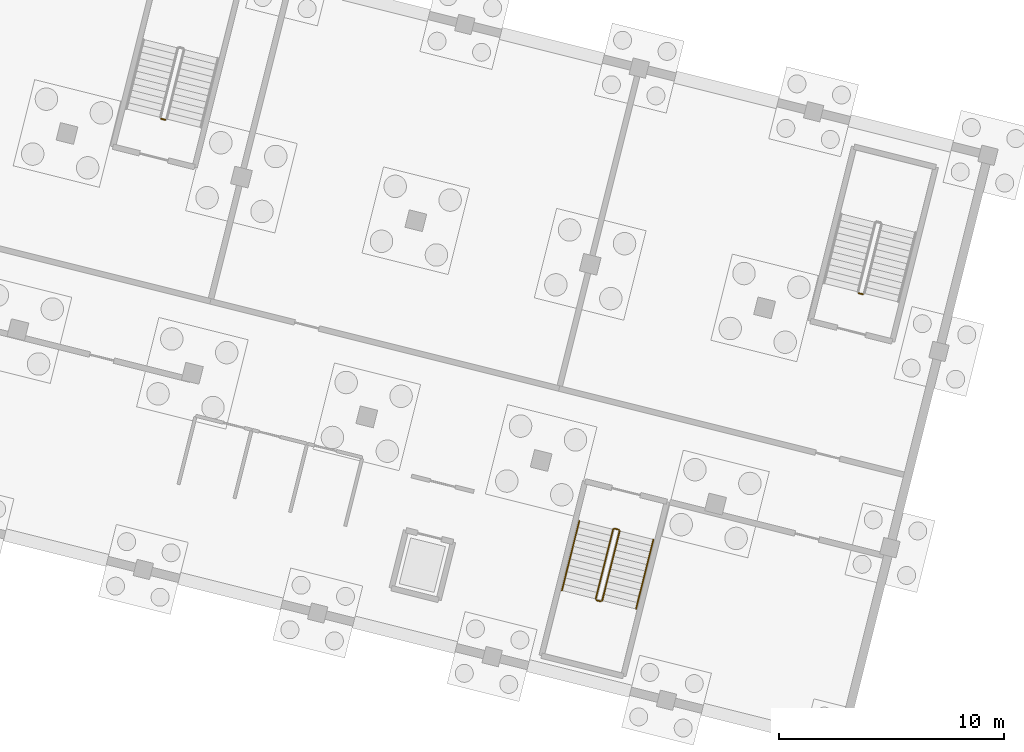
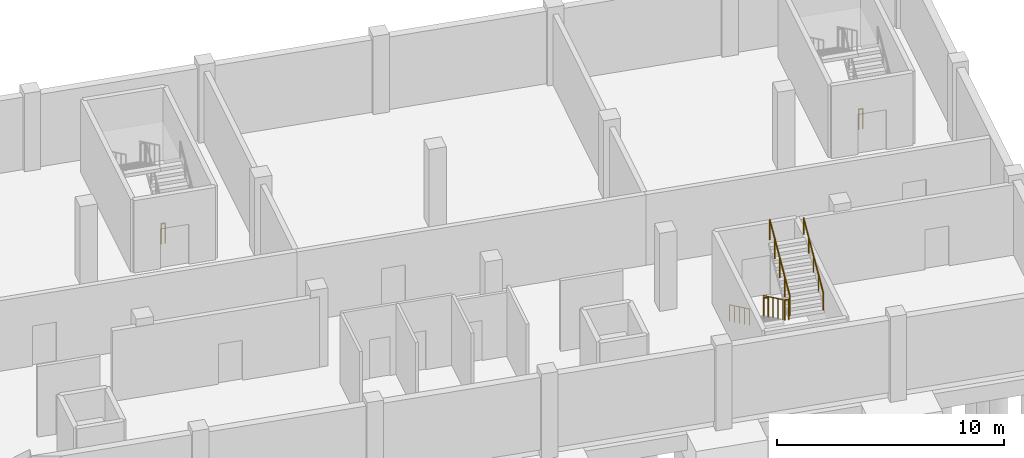
# One storey, part 34 of 36: 8 railings.
"""IFC4 building model written with IfcOpenShell, lengths in metres."""

from ifc_helpers import new_model, si_unit, derived_unit, direction, frame, origin, origin_2d, place, context, subcontext, project, spatial, circle, extrude, material, type_object, element, save


model = new_model("IFC4")

# Units and contexts
model_context = context("Model", 3, precision=1e-05, world=origin(), true_north=direction((0.0, 1.0)))
body_context = subcontext(model_context, "Body", "Model", "MODEL_VIEW")
ifc_project = project(units=[si_unit("LENGTHUNIT", "METRE"), si_unit("AREAUNIT", "SQUARE_METRE"), si_unit("VOLUMEUNIT", "CUBIC_METRE"), si_unit("PLANEANGLEUNIT", "RADIAN"), si_unit("MASSUNIT", "GRAM", prefix="KILO"), si_unit("THERMODYNAMICTEMPERATUREUNIT", "KELVIN"), si_unit("TIMEUNIT", "SECOND"), derived_unit("THERMALTRANSMITTANCEUNIT", [(si_unit("MASSUNIT", "GRAM", prefix="KILO"), 1), (si_unit("THERMODYNAMICTEMPERATUREUNIT", "KELVIN"), -1), (si_unit("TIMEUNIT", "SECOND"), -3)])], contexts=[model_context])

# Site, building, storey
site_placement = place(None, origin())
site = spatial("IfcSite", under=ifc_project, at=site_placement, CompositionType="ELEMENT")
building_placement = place(site_placement, origin())
building = spatial("IfcBuilding", under=site, at=building_placement, Name="Cambertide Market Hall", CompositionType="ELEMENT")
storey_placement = place(building_placement, frame((0.0, 0.0, -4.199951171875)))
storey = spatial("IfcBuildingStorey", under=building, at=storey_placement, Name="B1", CompositionType="ELEMENT", Elevation=-4.199951171875)

# Railings
ifc_material_1 = material(Name="Stainless Steel Grade 316", Category="metal")
railing_type_1 = type_object("IfcRailingType", Name="Stair Wall Handrail 900", PredefinedType="HANDRAIL", material=ifc_material_1)
railing_1_placement = place(storey_placement, frame((158.447509765625, 94.3974609375, 0.175048828125)))
element("IfcRailing", 1, at=railing_1_placement, inside=storey, type_object=railing_type_1, Name="Basement 1 ST-08A stair handrail 1", PredefinedType="HANDRAIL", context=body_context, shape_type="SweptSolid", body=[
    extrude(circle(Radius=0.02392578125, at=origin_2d()), frame((0.0, 0.0, 0.8759765625), z_axis=(-0.207661131979, -0.830644527916, 0.516629966716), x_axis=(0.970142500145, -0.242535625036, 0.0)), (0.0, 0.0, 1.0), 3.7255859375),
    extrude(circle(Radius=0.02099609375, at=origin_2d()), origin(), (0.0, 0.0, 1.0), 0.851806640625),
    extrude(circle(Radius=0.02099609375, at=origin_2d()), frame((-0.193359375, -0.773681640625, 0.481201171875)), (0.0, 0.0, 1.0), 0.851806640625),
    extrude(circle(Radius=0.02099609375, at=origin_2d()), frame((-0.38671875, -1.54736328125, 0.96240234375)), (0.0, 0.0, 1.0), 0.851806640625),
    extrude(circle(Radius=0.02099609375, at=origin_2d()), frame((-0.580322265625, -2.321044921875, 1.443603515625)), (0.0, 0.0, 1.0), 0.851806640625),
    extrude(circle(Radius=0.02099609375, at=origin_2d()), frame((-0.773681640625, -3.0947265625, 1.9248046875)), (0.0, 0.0, 1.0), 0.851806640625),
])
railing_2_placement = place(storey_placement, frame((160.97216796875, 90.47802734375, 2.27490234375)))
element("IfcRailing", 2, at=railing_2_placement, inside=storey, type_object=railing_type_1, Name="Basement 1 ST-08A stair handrail 2", PredefinedType="HANDRAIL", context=body_context, shape_type="SweptSolid", body=[
    extrude(circle(Radius=0.02392578125, at=origin_2d()), frame((0.0, 0.0, 0.8759765625), z_axis=(0.207654101688, 0.830616406754, 0.516678003097), x_axis=(-0.970142500145, 0.242535625036, 0.0)), (0.0, 0.0, 1.0), 3.725830078125),
    extrude(circle(Radius=0.02099609375, at=origin_2d()), origin(), (0.0, 0.0, 1.0), 0.851806640625),
    extrude(circle(Radius=0.02099609375, at=origin_2d()), frame((0.193359375, 0.773681640625, 0.481201171875)), (0.0, 0.0, 1.0), 0.851806640625),
    extrude(circle(Radius=0.02099609375, at=origin_2d()), frame((0.38671875, 1.54736328125, 0.96240234375)), (0.0, 0.0, 1.0), 0.851806640625),
    extrude(circle(Radius=0.02099609375, at=origin_2d()), frame((0.580322265625, 2.321044921875, 1.44384765625)), (0.0, 0.0, 1.0), 0.851806640625),
    extrude(circle(Radius=0.02099609375, at=origin_2d()), frame((0.773681640625, 3.0947265625, 1.925048828125)), (0.0, 0.0, 1.0), 0.851806640625),
])
ifc_material_2 = material(Name="Stainless Steel Grade 316", Category="metal")
railing_type_2 = type_object("IfcRailingType", Name="Stairwell Inner Guardrail 1100", PredefinedType="GUARDRAIL", material=ifc_material_2)
railing_3_placement = place(storey_placement, frame((140.02685546875, 112.248046875, 0.0)))
element("IfcRailing", 3, at=railing_3_placement, inside=storey, type_object=railing_type_2, Name="Basement 1 ST-07B stair guard 4", PredefinedType="GUARDRAIL", context=body_context, shape_type="SweptSolid", body=[
    extrude(circle(Radius=0.02392578125, at=origin_2d()), frame((0.0, 0.0, 1.076171875), z_axis=(-0.970070680326, 0.242822723755, 0.0), x_axis=(-0.242822723755, -0.970070680326, 0.0)), (0.0, 0.0, 1.0), 0.2001953125),
    extrude(circle(Radius=0.02099609375, at=origin_2d()), origin(), (0.0, 0.0, 1.0), 1.052001953125),
    extrude(circle(Radius=0.02099609375, at=origin_2d()), frame((-0.194091796875, 0.048583984375, 0.0)), (0.0, 0.0, 1.0), 1.052001953125),
])
railing_4_placement = place(storey_placement, frame((159.951171875, 94.021484375, 0.175048828125)))
element("IfcRailing", 4, at=railing_4_placement, inside=storey, type_object=railing_type_2, Name="Basement 1 ST-08A stair guard 1", PredefinedType="GUARDRAIL", context=body_context, shape_type="SweptSolid", body=[
    extrude(circle(Radius=0.02392578125, at=origin_2d()), frame((0.0, 0.0, 1.076171875), z_axis=(-0.207661131979, -0.830644527916, 0.516629966716), x_axis=(0.970142500145, -0.242535625036, 0.0)), (0.0, 0.0, 1.0), 3.7255859375),
    extrude(circle(Radius=0.02099609375, at=origin_2d()), origin(), (0.0, 0.0, 1.0), 1.052001953125),
    extrude(circle(Radius=0.02099609375, at=origin_2d()), frame((-0.193359375, -0.773681640625, 0.481201171875)), (0.0, 0.0, 1.0), 1.052001953125),
    extrude(circle(Radius=0.02099609375, at=origin_2d()), frame((-0.38671875, -1.54736328125, 0.96240234375)), (0.0, 0.0, 1.0), 1.052001953125),
    extrude(circle(Radius=0.02099609375, at=origin_2d()), frame((-0.580322265625, -2.321044921875, 1.443603515625)), (0.0, 0.0, 1.0), 1.052001953125),
    extrude(circle(Radius=0.02099609375, at=origin_2d()), frame((-0.773681640625, -3.0947265625, 1.9248046875)), (0.0, 0.0, 1.0), 1.052001953125),
])
railing_5_placement = place(storey_placement, frame((159.2138671875, 90.8662109375, 2.099853515625)))
element("IfcRailing", 5, at=railing_5_placement, inside=storey, type_object=railing_type_2, Name="Basement 1 ST-08A stair guard 2", PredefinedType="GUARDRAIL", context=body_context, shape_type="SweptSolid", body=[
    extrude(circle(Radius=0.02392578125, at=origin_2d()), frame((0.0, 0.0, 1.076171875), z_axis=(0.970070680326, -0.242822723755, 0.0), x_axis=(0.242822723755, 0.970070680326, 0.0)), (0.0, 0.0, 1.0), 0.2001953125),
    extrude(circle(Radius=0.02099609375, at=origin_2d()), origin(), (0.0, 0.0, 1.0), 1.052001953125),
    extrude(circle(Radius=0.02099609375, at=origin_2d()), frame((0.194091796875, -0.048583984375, 0.0)), (0.0, 0.0, 1.0), 1.052001953125),
])
railing_6_placement = place(storey_placement, frame((159.468505859375, 90.85400390625, 2.27490234375)))
element("IfcRailing", 6, at=railing_6_placement, inside=storey, type_object=railing_type_2, Name="Basement 1 ST-08A stair guard 3", PredefinedType="GUARDRAIL", context=body_context, shape_type="SweptSolid", body=[
    extrude(circle(Radius=0.02392578125, at=origin_2d()), frame((0.0, 0.0, 1.076171875), z_axis=(0.207654101688, 0.830616406754, 0.516678003097), x_axis=(-0.970142500145, 0.242535625036, 0.0)), (0.0, 0.0, 1.0), 3.725830078125),
    extrude(circle(Radius=0.02099609375, at=origin_2d()), origin(), (0.0, 0.0, 1.0), 1.052001953125),
    extrude(circle(Radius=0.02099609375, at=origin_2d()), frame((0.193359375, 0.773681640625, 0.481201171875)), (0.0, 0.0, 1.0), 1.052001953125),
    extrude(circle(Radius=0.02099609375, at=origin_2d()), frame((0.38671875, 1.54736328125, 0.96240234375)), (0.0, 0.0, 1.0), 1.052001953125),
    extrude(circle(Radius=0.02099609375, at=origin_2d()), frame((0.580322265625, 2.321044921875, 1.44384765625)), (0.0, 0.0, 1.0), 1.052001953125),
    extrude(circle(Radius=0.02099609375, at=origin_2d()), frame((0.773681640625, 3.0947265625, 1.925048828125)), (0.0, 0.0, 1.0), 1.052001953125),
])
railing_7_placement = place(storey_placement, frame((160.01171875, 94.057861328125, 0.0)))
element("IfcRailing", 7, at=railing_7_placement, inside=storey, type_object=railing_type_2, Name="Basement 1 ST-08A stair guard 4", PredefinedType="GUARDRAIL", context=body_context, shape_type="SweptSolid", body=[
    extrude(circle(Radius=0.02392578125, at=origin_2d()), frame((0.0, 0.0, 1.076171875), z_axis=(0.970070680326, -0.242822723755, 0.0), x_axis=(0.242822723755, 0.970070680326, 0.0)), (0.0, 0.0, 1.0), 0.2001953125),
    extrude(circle(Radius=0.02099609375, at=origin_2d()), origin(), (0.0, 0.0, 1.0), 1.052001953125),
    extrude(circle(Radius=0.02099609375, at=origin_2d()), frame((0.194091796875, -0.048583984375, 0.0)), (0.0, 0.0, 1.0), 1.052001953125),
])
railing_8_placement = place(storey_placement, frame((171.0712890625, 104.48681640625, 0.0)))
element("IfcRailing", 8, at=railing_8_placement, inside=storey, type_object=railing_type_2, Name="Basement 1 ST-08B stair guard 4", PredefinedType="GUARDRAIL", context=body_context, shape_type="SweptSolid", body=[
    extrude(circle(Radius=0.02392578125, at=origin_2d()), frame((0.0, 0.0, 1.076171875), z_axis=(-0.969998605015, 0.24311048161, 0.0), x_axis=(-0.24311048161, -0.969998605015, 0.0)), (0.0, 0.0, 1.0), 0.199951171875),
    extrude(circle(Radius=0.02099609375, at=origin_2d()), origin(), (0.0, 0.0, 1.0), 1.052001953125),
    extrude(circle(Radius=0.02099609375, at=origin_2d()), frame((-0.19384765625, 0.048583984375, 0.0)), (0.0, 0.0, 1.0), 1.052001953125),
])

save(model, "model.ifc")
